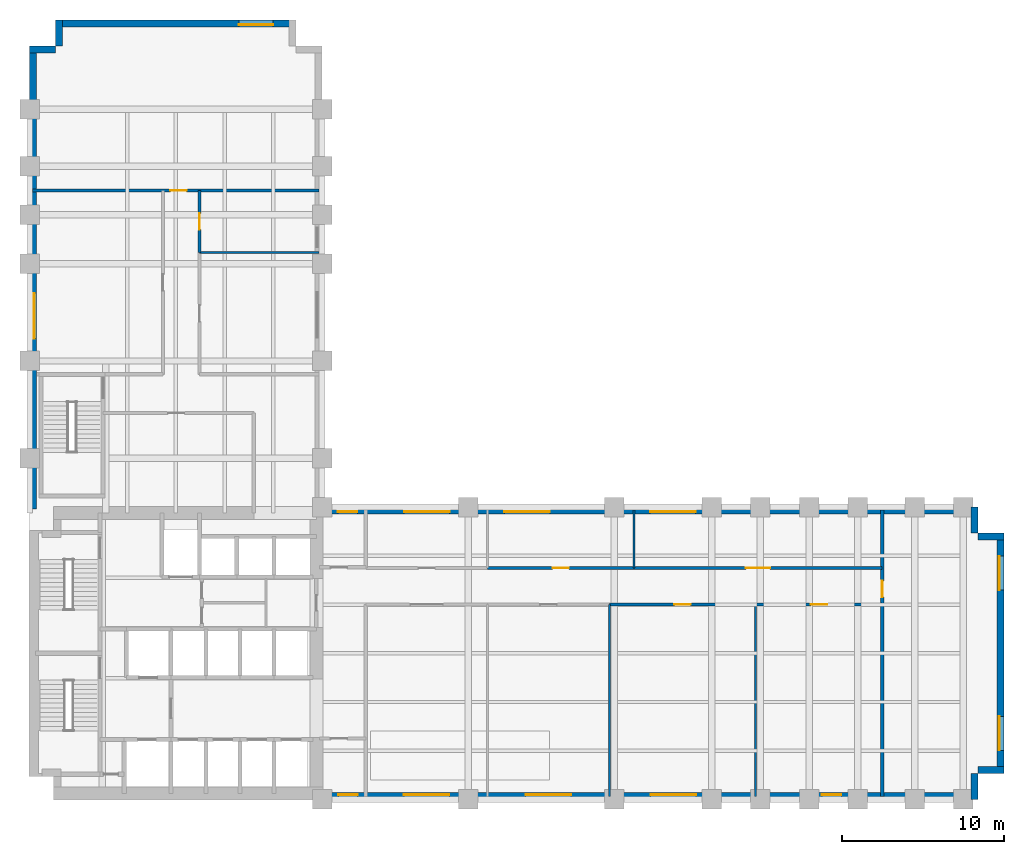
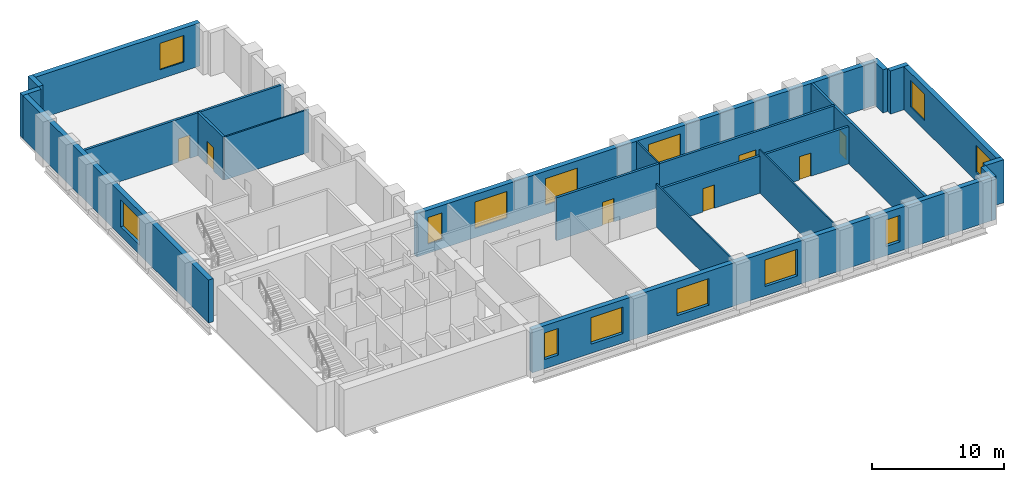
# One storey, part 5 of 7: 22 walls, 13 windows, 7 doors, 20 openings.
"""IFC4 building model written with IfcOpenShell, lengths in metres."""

from ifc_helpers import new_model, si_unit, direction, frame, frame_2d, origin, place, context, subcontext, project, spatial, rectangle, extrude, material, layer, layer_set, type_object, element, fill, save


model = new_model("IFC4")

# Units and contexts
model_context = context("Model", 3, precision=1e-05, world=origin(), true_north=direction((0.0, 1.0)))
body_context = subcontext(model_context, "Body", "Model", "MODEL_VIEW")
ifc_project = project(units=[si_unit("LENGTHUNIT", "METRE"), si_unit("AREAUNIT", "SQUARE_METRE"), si_unit("VOLUMEUNIT", "CUBIC_METRE"), si_unit("PLANEANGLEUNIT", "RADIAN"), si_unit("MASSUNIT", "GRAM", prefix="KILO")], contexts=[model_context])

# Site, building, storey
site_placement = place(None, origin())
site = spatial("IfcSite", under=ifc_project, at=site_placement, CompositionType="ELEMENT")
building_placement = place(site_placement, origin())
building = spatial("IfcBuilding", under=site, at=building_placement, Name="Mawjdan Bourse Tower", CompositionType="ELEMENT")
storey_placement = place(building_placement, frame((0.0, 0.0, 72.0)))
storey = spatial("IfcBuildingStorey", under=building, at=storey_placement, Name="L16", CompositionType="ELEMENT", Elevation=72.0)

# Wall, openings, windows
ifc_material_1 = material(Name="Brick Masonry Buff", Category="masonry")
ifc_layer_1 = layer(ifc_material_1, 0.419921875)
ifc_layer_set_1 = layer_set([ifc_layer_1], Name="Brick Masonry Buff")
wall_type_1 = type_object("IfcWallType", Name="WL-BRK-BUFF-420", PredefinedType="STANDARD", material=ifc_layer_set_1)
wall_1_placement = place(storey_placement, frame((23.89990234375, 3.2099609375, 0.0), z_axis=(0.0, 0.0, 1.0), x_axis=(1.0, 0.0, 0.0)))
wall_1 = element("IfcWall", 1, at=wall_1_placement, inside=storey, type_object=wall_type_1, Name="L16 Exterior Brick Wall 1", PredefinedType="STANDARD", context=body_context, shape_type="SweptSolid", body=[
    extrude(rectangle(XDim=40.5, YDim=0.419921875, at=frame_2d((20.25, 0.0))), origin(), (0.0, 0.0, 1.0), 3.97998046875),
])
opening_1_placement = place(wall_1_placement, frame((1.10009765625, 0.0, 0.85009765625)))
opening_1 = element("IfcOpeningElement", 2, at=opening_1_placement, cuts=wall_1, Name="Opening W-L16-07", PredefinedType="OPENING", context=body_context, shape_type="SweptSolid", body=[
    extrude(rectangle(XDim=1.199951171875, YDim=2.449951171875, at=frame_2d((0.60009765625, 1.22509765625))), frame((0.0, 0.219970703125, 0.0), z_axis=(0.0, -1.0, 0.0), x_axis=(1.0, 0.0, 0.0)), (0.0, 0.0, 1.0), 0.43994140625),
])
opening_2_placement = place(wall_1_placement, frame((5.13623046875, 0.0, 0.85009765625)))
opening_2 = element("IfcOpeningElement", 3, at=opening_2_placement, cuts=wall_1, Name="Opening W-L16-09", PredefinedType="OPENING", context=body_context, shape_type="SweptSolid", body=[
    extrude(rectangle(XDim=2.800048828125, YDim=2.449951171875, at=frame_2d((1.39990234375, 1.22509765625))), frame((0.0, 0.219970703125, 0.0), z_axis=(0.0, -1.0, 0.0), x_axis=(1.0, 0.0, 0.0)), (0.0, 0.0, 1.0), 0.43994140625),
])
opening_3_placement = place(wall_1_placement, frame((12.63623046875, 0.0, 0.85009765625)))
opening_3 = element("IfcOpeningElement", 4, at=opening_3_placement, cuts=wall_1, Name="Opening W-L16-10", PredefinedType="OPENING", context=body_context, shape_type="SweptSolid", body=[
    extrude(rectangle(XDim=2.800048828125, YDim=2.449951171875, at=frame_2d((1.39990234375, 1.22509765625))), frame((0.0, 0.219970703125, 0.0), z_axis=(0.0, -1.0, 0.0), x_axis=(1.0, 0.0, 0.0)), (0.0, 0.0, 1.0), 0.43994140625),
])
opening_4_placement = place(wall_1_placement, frame((20.336181640625, 0.0, 0.85009765625)))
opening_4 = element("IfcOpeningElement", 5, at=opening_4_placement, cuts=wall_1, Name="Opening W-L16-11", PredefinedType="OPENING", context=body_context, shape_type="SweptSolid", body=[
    extrude(rectangle(XDim=2.800048828125, YDim=2.449951171875, at=frame_2d((1.39990234375, 1.22509765625))), frame((0.0, 0.219970703125, 0.0), z_axis=(0.0, -1.0, 0.0), x_axis=(1.0, 0.0, 0.0)), (0.0, 0.0, 1.0), 0.43994140625),
])
opening_5_placement = place(wall_1_placement, frame((30.88623046875, 0.0, 0.85009765625)))
opening_5 = element("IfcOpeningElement", 6, at=opening_5_placement, cuts=wall_1, Name="Opening W-L16-12", PredefinedType="OPENING", context=body_context, shape_type="SweptSolid", body=[
    extrude(rectangle(XDim=1.199951171875, YDim=2.449951171875, at=frame_2d((0.60009765625, 1.22509765625))), frame((0.0, 0.219970703125, 0.0), z_axis=(0.0, -1.0, 0.0), x_axis=(1.0, 0.0, 0.0)), (0.0, 0.0, 1.0), 0.43994140625),
])
ifc_material_2 = material(Name="Solar-Control Clear Double Glazing", Category="glass")
window_type_1 = type_object("IfcWindowType", Name="WN-TRD-1200", PartitioningType="SINGLE_PANEL", PredefinedType="WINDOW", material=ifc_material_2)
window_1_placement = place(opening_1_placement, origin())
window_1 = element("IfcWindow", 7, at=window_1_placement, inside=storey, type_object=window_type_1, Name="L16 Deep-Set Masonry Window W-L16-07", OverallHeight=2.449951171875, OverallWidth=1.199951171875, PartitioningType="SINGLE_PANEL", PredefinedType="WINDOW", context=body_context, shape_type="SweptSolid", body=[
    extrude(rectangle(XDim=1.199951171875, YDim=2.449951171875, at=frame_2d((0.60009765625, 1.22509765625))), frame((0.0, 0.110107421875, 0.0), z_axis=(0.0, -1.0, 0.0), x_axis=(1.0, 0.0, 0.0)), (0.0, 0.0, 1.0), 0.06005859375),
])
fill(opening_1, window_1)
window_2_placement = place(opening_5_placement, origin())
window_2 = element("IfcWindow", 8, at=window_2_placement, inside=storey, type_object=window_type_1, Name="L16 Deep-Set Masonry Window W-L16-12", OverallHeight=2.449951171875, OverallWidth=1.199951171875, PartitioningType="SINGLE_PANEL", PredefinedType="WINDOW", context=body_context, shape_type="SweptSolid", body=[
    extrude(rectangle(XDim=1.199951171875, YDim=2.449951171875, at=frame_2d((0.60009765625, 1.22509765625))), frame((0.0, 0.110107421875, 0.0), z_axis=(0.0, -1.0, 0.0), x_axis=(1.0, 0.0, 0.0)), (0.0, 0.0, 1.0), 0.06005859375),
])
fill(opening_5, window_2)
window_type_2 = type_object("IfcWindowType", Name="WN-TRD-2800", PartitioningType="SINGLE_PANEL", PredefinedType="WINDOW", material=ifc_material_2)
window_3_placement = place(opening_2_placement, origin())
window_3 = element("IfcWindow", 9, at=window_3_placement, inside=storey, type_object=window_type_2, Name="L16 Deep-Set Masonry Window W-L16-09", OverallHeight=2.449951171875, OverallWidth=2.800048828125, PartitioningType="SINGLE_PANEL", PredefinedType="WINDOW", context=body_context, shape_type="SweptSolid", body=[
    extrude(rectangle(XDim=2.800048828125, YDim=2.449951171875, at=frame_2d((1.39990234375, 1.22509765625))), frame((0.0, 0.110107421875, 0.0), z_axis=(0.0, -1.0, 0.0), x_axis=(1.0, 0.0, 0.0)), (0.0, 0.0, 1.0), 0.06005859375),
])
fill(opening_2, window_3)
window_4_placement = place(opening_3_placement, origin())
window_4 = element("IfcWindow", 10, at=window_4_placement, inside=storey, type_object=window_type_2, Name="L16 Deep-Set Masonry Window W-L16-10", OverallHeight=2.449951171875, OverallWidth=2.800048828125, PartitioningType="SINGLE_PANEL", PredefinedType="WINDOW", context=body_context, shape_type="SweptSolid", body=[
    extrude(rectangle(XDim=2.800048828125, YDim=2.449951171875, at=frame_2d((1.39990234375, 1.22509765625))), frame((0.0, 0.110107421875, 0.0), z_axis=(0.0, -1.0, 0.0), x_axis=(1.0, 0.0, 0.0)), (0.0, 0.0, 1.0), 0.06005859375),
])
fill(opening_3, window_4)
window_5_placement = place(opening_4_placement, origin())
window_5 = element("IfcWindow", 11, at=window_5_placement, inside=storey, type_object=window_type_2, Name="L16 Deep-Set Masonry Window W-L16-11", OverallHeight=2.449951171875, OverallWidth=2.800048828125, PartitioningType="SINGLE_PANEL", PredefinedType="WINDOW", context=body_context, shape_type="SweptSolid", body=[
    extrude(rectangle(XDim=2.800048828125, YDim=2.449951171875, at=frame_2d((1.39990234375, 1.22509765625))), frame((0.0, 0.110107421875, 0.0), z_axis=(0.0, -1.0, 0.0), x_axis=(1.0, 0.0, 0.0)), (0.0, 0.0, 1.0), 0.06005859375),
])
fill(opening_4, window_5)

# Walls
for number, where, z_axis, x_axis, name in (
    (12, (64.18994140625, 3.0, 0.0), (0.0, 0.0, 1.0), (0.0, 1.0, 0.0), "L16 Exterior Brick Wall 2"),
    (13, (64.39990234375, 4.81005859375, 0.0), (0.0, 0.0, 1.0), (1.0, 0.0, 0.0), "L16 Exterior Brick Wall 3"),
):
    element("IfcWall", number, at=place(storey_placement, frame(where, z_axis=z_axis, x_axis=x_axis)), inside=storey, type_object=wall_type_1, Name=name, PredefinedType="STANDARD", context=body_context, shape_type="SweptSolid", body=[
        extrude(rectangle(XDim=1.60009765625, YDim=0.419921875, at=frame_2d((0.800048828125, 0.0))), origin(), (0.0, 0.0, 1.0), 3.97998046875),
    ])

# Wall, openings, windows
wall_2_placement = place(storey_placement, frame((65.7900390625, 4.60009765625, 0.0), z_axis=(0.0, 0.0, 1.0), x_axis=(0.0, 1.0, 0.0)))
wall_2 = element("IfcWall", 14, at=wall_2_placement, inside=storey, type_object=wall_type_1, Name="L16 Exterior Brick Wall 4", PredefinedType="STANDARD", context=body_context, shape_type="SweptSolid", body=[
    extrude(rectangle(XDim=14.7998046875, YDim=0.419921875, at=frame_2d((7.39990234375, 0.0))), origin(), (0.0, 0.0, 1.0), 3.97998046875),
])
opening_6_placement = place(wall_2_placement, frame((1.416748046875, 0.0, 0.85009765625)))
opening_6 = element("IfcOpeningElement", 15, at=opening_6_placement, cuts=wall_2, Name="Opening W-L16-01", PredefinedType="OPENING", context=body_context, shape_type="SweptSolid", body=[
    extrude(rectangle(XDim=2.10009765625, YDim=2.449951171875, at=frame_2d((1.050048828125, 1.22509765625))), frame((0.0, 0.219970703125, 0.0), z_axis=(0.0, -1.0, 0.0), x_axis=(1.0, 0.0, 0.0)), (0.0, 0.0, 1.0), 0.43994140625),
])
opening_7_placement = place(wall_2_placement, frame((11.283203125, 0.0, 0.85009765625)))
opening_7 = element("IfcOpeningElement", 16, at=opening_7_placement, cuts=wall_2, Name="Opening W-L16-02", PredefinedType="OPENING", context=body_context, shape_type="SweptSolid", body=[
    extrude(rectangle(XDim=2.10009765625, YDim=2.449951171875, at=frame_2d((1.050048828125, 1.22509765625))), frame((0.0, 0.219970703125, 0.0), z_axis=(0.0, -1.0, 0.0), x_axis=(1.0, 0.0, 0.0)), (0.0, 0.0, 1.0), 0.43994140625),
])
window_type_3 = type_object("IfcWindowType", Name="WN-TRD-2100", PartitioningType="SINGLE_PANEL", PredefinedType="WINDOW", material=ifc_material_2)
window_6_placement = place(opening_6_placement, origin())
window_6 = element("IfcWindow", 17, at=window_6_placement, inside=storey, type_object=window_type_3, Name="L16 Deep-Set Masonry Window W-L16-01", OverallHeight=2.449951171875, OverallWidth=2.10009765625, PartitioningType="SINGLE_PANEL", PredefinedType="WINDOW", context=body_context, shape_type="SweptSolid", body=[
    extrude(rectangle(XDim=2.10009765625, YDim=2.449951171875, at=frame_2d((1.050048828125, 1.22509765625))), frame((0.0, 0.110107421875, 0.0), z_axis=(0.0, -1.0, 0.0), x_axis=(1.0, 0.0, 0.0)), (0.0, 0.0, 1.0), 0.06005859375),
])
fill(opening_6, window_6)
window_7_placement = place(opening_7_placement, origin())
window_7 = element("IfcWindow", 18, at=window_7_placement, inside=storey, type_object=window_type_3, Name="L16 Deep-Set Masonry Window W-L16-02", OverallHeight=2.449951171875, OverallWidth=2.10009765625, PartitioningType="SINGLE_PANEL", PredefinedType="WINDOW", context=body_context, shape_type="SweptSolid", body=[
    extrude(rectangle(XDim=2.10009765625, YDim=2.449951171875, at=frame_2d((1.050048828125, 1.22509765625))), frame((0.0, 0.110107421875, 0.0), z_axis=(0.0, -1.0, 0.0), x_axis=(1.0, 0.0, 0.0)), (0.0, 0.0, 1.0), 0.06005859375),
])
fill(opening_7, window_7)

# Walls
for number, where, z_axis, x_axis, name in (
    (19, (66.0, 19.18994140625, 0.0), (0.0, 0.0, 1.0), (-1.0, 0.0, 0.0), "L16 Exterior Brick Wall 5"),
    (20, (64.18994140625, 19.39990234375, 0.0), (0.0, 0.0, 1.0), (0.0, 1.0, 0.0), "L16 Exterior Brick Wall 6"),
):
    element("IfcWall", number, at=place(storey_placement, frame(where, z_axis=z_axis, x_axis=x_axis)), inside=storey, type_object=wall_type_1, Name=name, PredefinedType="STANDARD", context=body_context, shape_type="SweptSolid", body=[
        extrude(rectangle(XDim=1.60009765625, YDim=0.419921875, at=frame_2d((0.800048828125, 0.0))), origin(), (0.0, 0.0, 1.0), 3.97998046875),
    ])

# Wall, openings, windows
wall_3_placement = place(storey_placement, frame((64.39990234375, 20.7900390625, 0.0), z_axis=(0.0, 0.0, 1.0), x_axis=(-1.0, 0.0, 0.0)))
wall_3 = element("IfcWall", 21, at=wall_3_placement, inside=storey, type_object=wall_type_1, Name="L16 Exterior Brick Wall 7", PredefinedType="STANDARD", context=body_context, shape_type="SweptSolid", body=[
    extrude(rectangle(XDim=40.39990234375, YDim=0.419921875, at=frame_2d((20.199951171875, 0.0))), origin(), (0.0, 0.0, 1.0), 3.97998046875),
])
opening_8_placement = place(wall_3_placement, frame((26.375, 0.0, 0.85009765625)))
opening_8 = element("IfcOpeningElement", 22, at=opening_8_placement, cuts=wall_3, Name="Opening W-L16-03", PredefinedType="OPENING", context=body_context, shape_type="SweptSolid", body=[
    extrude(rectangle(XDim=2.800048828125, YDim=2.449951171875, at=frame_2d((1.39990234375, 1.22509765625))), frame((0.0, 0.219970703125, 0.0), z_axis=(0.0, -1.0, 0.0), x_axis=(1.0, 0.0, 0.0)), (0.0, 0.0, 1.0), 0.43994140625),
])
opening_9_placement = place(wall_3_placement, frame((38.22216796875, 0.0, 0.85009765625)))
opening_9 = element("IfcOpeningElement", 23, at=opening_9_placement, cuts=wall_3, Name="Opening W-L16-08", PredefinedType="OPENING", context=body_context, shape_type="SweptSolid", body=[
    extrude(rectangle(XDim=1.199951171875, YDim=2.449951171875, at=frame_2d((0.60009765625, 1.22509765625))), frame((0.0, 0.219970703125, 0.0), z_axis=(0.0, -1.0, 0.0), x_axis=(1.0, 0.0, 0.0)), (0.0, 0.0, 1.0), 0.43994140625),
])
opening_10_placement = place(wall_3_placement, frame((32.5361328125, 0.0, 0.85009765625)))
opening_10 = element("IfcOpeningElement", 24, at=opening_10_placement, cuts=wall_3, Name="Opening W-L16-13", PredefinedType="OPENING", context=body_context, shape_type="SweptSolid", body=[
    extrude(rectangle(XDim=2.800048828125, YDim=2.449951171875, at=frame_2d((1.39990234375, 1.22509765625))), frame((0.0, 0.219970703125, 0.0), z_axis=(0.0, -1.0, 0.0), x_axis=(1.0, 0.0, 0.0)), (0.0, 0.0, 1.0), 0.43994140625),
])
opening_11_placement = place(wall_3_placement, frame((17.38623046875, 0.0, 0.85009765625)))
opening_11 = element("IfcOpeningElement", 25, at=opening_11_placement, cuts=wall_3, Name="Opening W-L16-14", PredefinedType="OPENING", context=body_context, shape_type="SweptSolid", body=[
    extrude(rectangle(XDim=2.800048828125, YDim=2.449951171875, at=frame_2d((1.39990234375, 1.22509765625))), frame((0.0, 0.219970703125, 0.0), z_axis=(0.0, -1.0, 0.0), x_axis=(1.0, 0.0, 0.0)), (0.0, 0.0, 1.0), 0.43994140625),
])
window_8_placement = place(opening_9_placement, origin())
window_8 = element("IfcWindow", 26, at=window_8_placement, inside=storey, type_object=window_type_1, Name="L16 Deep-Set Masonry Window W-L16-08", OverallHeight=2.449951171875, OverallWidth=1.199951171875, PartitioningType="SINGLE_PANEL", PredefinedType="WINDOW", context=body_context, shape_type="SweptSolid", body=[
    extrude(rectangle(XDim=1.199951171875, YDim=2.449951171875, at=frame_2d((0.60009765625, 1.22509765625))), frame((0.0, 0.110107421875, 0.0), z_axis=(0.0, -1.0, 0.0), x_axis=(1.0, 0.0, 0.0)), (0.0, 0.0, 1.0), 0.06005859375),
])
fill(opening_9, window_8)
window_9_placement = place(opening_8_placement, origin())
window_9 = element("IfcWindow", 27, at=window_9_placement, inside=storey, type_object=window_type_2, Name="L16 Deep-Set Masonry Window W-L16-03", OverallHeight=2.449951171875, OverallWidth=2.800048828125, PartitioningType="SINGLE_PANEL", PredefinedType="WINDOW", context=body_context, shape_type="SweptSolid", body=[
    extrude(rectangle(XDim=2.800048828125, YDim=2.449951171875, at=frame_2d((1.39990234375, 1.22509765625))), frame((0.0, 0.110107421875, 0.0), z_axis=(0.0, -1.0, 0.0), x_axis=(1.0, 0.0, 0.0)), (0.0, 0.0, 1.0), 0.06005859375),
])
fill(opening_8, window_9)
window_10_placement = place(opening_10_placement, origin())
window_10 = element("IfcWindow", 28, at=window_10_placement, inside=storey, type_object=window_type_2, Name="L16 Deep-Set Masonry Window W-L16-13", OverallHeight=2.449951171875, OverallWidth=2.800048828125, PartitioningType="SINGLE_PANEL", PredefinedType="WINDOW", context=body_context, shape_type="SweptSolid", body=[
    extrude(rectangle(XDim=2.800048828125, YDim=2.449951171875, at=frame_2d((1.39990234375, 1.22509765625))), frame((0.0, 0.110107421875, 0.0), z_axis=(0.0, -1.0, 0.0), x_axis=(1.0, 0.0, 0.0)), (0.0, 0.0, 1.0), 0.06005859375),
])
fill(opening_10, window_10)
window_11_placement = place(opening_11_placement, origin())
window_11 = element("IfcWindow", 29, at=window_11_placement, inside=storey, type_object=window_type_2, Name="L16 Deep-Set Masonry Window W-L16-14", OverallHeight=2.449951171875, OverallWidth=2.800048828125, PartitioningType="SINGLE_PANEL", PredefinedType="WINDOW", context=body_context, shape_type="SweptSolid", body=[
    extrude(rectangle(XDim=2.800048828125, YDim=2.449951171875, at=frame_2d((1.39990234375, 1.22509765625))), frame((0.0, 0.110107421875, 0.0), z_axis=(0.0, -1.0, 0.0), x_axis=(1.0, 0.0, 0.0)), (0.0, 0.0, 1.0), 0.06005859375),
])
fill(opening_11, window_11)

# Wall, opening, window
wall_4_placement = place(storey_placement, frame((22.39990234375, 50.7900390625, 0.0), z_axis=(0.0, 0.0, 1.0), x_axis=(-1.0, 0.0, 0.0)))
wall_4 = element("IfcWall", 30, at=wall_4_placement, inside=storey, type_object=wall_type_1, Name="L16 Exterior Brick Wall 11", PredefinedType="STANDARD", context=body_context, shape_type="SweptSolid", body=[
    extrude(rectangle(XDim=14.7998046875, YDim=0.419921875, at=frame_2d((7.39990234375, 0.0))), origin(), (0.0, 0.0, 1.0), 3.97998046875),
])
opening_12_placement = place(wall_4_placement, frame((1.416748046875, 0.0, 0.85009765625)))
opening_12 = element("IfcOpeningElement", 31, at=opening_12_placement, cuts=wall_4, Name="Opening W-L16-05", PredefinedType="OPENING", context=body_context, shape_type="SweptSolid", body=[
    extrude(rectangle(XDim=2.10009765625, YDim=2.449951171875, at=frame_2d((1.050048828125, 1.22509765625))), frame((0.0, 0.219970703125, 0.0), z_axis=(0.0, -1.0, 0.0), x_axis=(1.0, 0.0, 0.0)), (0.0, 0.0, 1.0), 0.43994140625),
])
window_12_placement = place(opening_12_placement, origin())
window_12 = element("IfcWindow", 32, at=window_12_placement, inside=storey, type_object=window_type_3, Name="L16 Deep-Set Masonry Window W-L16-05", OverallHeight=2.449951171875, OverallWidth=2.10009765625, PartitioningType="SINGLE_PANEL", PredefinedType="WINDOW", context=body_context, shape_type="SweptSolid", body=[
    extrude(rectangle(XDim=2.10009765625, YDim=2.449951171875, at=frame_2d((1.050048828125, 1.22509765625))), frame((0.0, 0.110107421875, 0.0), z_axis=(0.0, -1.0, 0.0), x_axis=(1.0, 0.0, 0.0)), (0.0, 0.0, 1.0), 0.06005859375),
])
fill(opening_12, window_12)

# Walls
for number, where, z_axis, x_axis, name in (
    (33, (7.81005859375, 51.0, 0.0), (0.0, 0.0, 1.0), (0.0, -1.0, 0.0), "L16 Exterior Brick Wall 12"),
    (34, (7.60009765625, 49.18994140625, 0.0), (0.0, 0.0, 1.0), (-1.0, 0.0, 0.0), "L16 Exterior Brick Wall 13"),
):
    element("IfcWall", number, at=place(storey_placement, frame(where, z_axis=z_axis, x_axis=x_axis)), inside=storey, type_object=wall_type_1, Name=name, PredefinedType="STANDARD", context=body_context, shape_type="SweptSolid", body=[
        extrude(rectangle(XDim=1.60009765625, YDim=0.419921875, at=frame_2d((0.800048828125, 0.0))), origin(), (0.0, 0.0, 1.0), 3.97998046875),
    ])

# Wall, opening, window
wall_5_placement = place(storey_placement, frame((6.2099609375, 49.39990234375, 0.0), z_axis=(0.0, 0.0, 1.0), x_axis=(0.0, -1.0, 0.0)))
wall_5 = element("IfcWall", 35, at=wall_5_placement, inside=storey, type_object=wall_type_1, Name="L16 Exterior Brick Wall 14", PredefinedType="STANDARD", context=body_context, shape_type="SweptSolid", body=[
    extrude(rectangle(XDim=28.5, YDim=0.419921875, at=frame_2d((14.25, 0.0))), origin(), (0.0, 0.0, 1.0), 3.97998046875),
])
opening_13_placement = place(wall_5_placement, frame((15.22509765625, 0.0, 0.85009765625)))
opening_13 = element("IfcOpeningElement", 36, at=opening_13_placement, cuts=wall_5, Name="Opening W-L16-06", PredefinedType="OPENING", context=body_context, shape_type="SweptSolid", body=[
    extrude(rectangle(XDim=2.800048828125, YDim=2.449951171875, at=frame_2d((1.39990234375, 1.22509765625))), frame((0.0, 0.219970703125, 0.0), z_axis=(0.0, -1.0, 0.0), x_axis=(1.0, 0.0, 0.0)), (0.0, 0.0, 1.0), 0.43994140625),
])
window_13_placement = place(opening_13_placement, origin())
window_13 = element("IfcWindow", 37, at=window_13_placement, inside=storey, type_object=window_type_2, Name="L16 Deep-Set Masonry Window W-L16-06", OverallHeight=2.449951171875, OverallWidth=2.800048828125, PartitioningType="SINGLE_PANEL", PredefinedType="WINDOW", context=body_context, shape_type="SweptSolid", body=[
    extrude(rectangle(XDim=2.800048828125, YDim=2.449951171875, at=frame_2d((1.39990234375, 1.22509765625))), frame((0.0, 0.110107421875, 0.0), z_axis=(0.0, -1.0, 0.0), x_axis=(1.0, 0.0, 0.0)), (0.0, 0.0, 1.0), 0.06005859375),
])
fill(opening_13, window_13)

# Wall, opening, door
ifc_material_3 = material(Name="Gypsum Fireboard Assembly")
ifc_layer_2 = layer(ifc_material_3, 0.199951171875)
ifc_layer_set_2 = layer_set([ifc_layer_2], Name="Gypsum Fireboard Assembly")
wall_type_2 = type_object("IfcWallType", Name="WL-CMP-200", PredefinedType="PARTITIONING", material=ifc_layer_set_2)
wall_6_placement = place(storey_placement, frame((41.699951171875, 15.0, 0.0), z_axis=(0.0, 0.0, 1.0), x_axis=(1.0, 0.0, 0.0)))
wall_6 = element("IfcWall", 38, at=wall_6_placement, inside=storey, type_object=wall_type_2, Name="L16 Executive Office Corridor Wall", PredefinedType="PARTITIONING", context=body_context, shape_type="SweptSolid", body=[
    extrude(rectangle(XDim=9.0, YDim=0.199951171875, at=frame_2d((4.5, 0.0))), origin(), (0.0, 0.0, 1.0), 3.426025390625),
])
opening_14_placement = place(wall_6_placement, frame((4.0, 0.0, 0.0)))
opening_14 = element("IfcOpeningElement", 39, at=opening_14_placement, cuts=wall_6, Name="Opening D-L16-22", PredefinedType="OPENING", context=body_context, shape_type="SweptSolid", body=[
    extrude(rectangle(XDim=1.0, YDim=2.14990234375, at=frame_2d((0.5, 1.074951171875))), frame((0.0, 0.10986328125, 0.0), z_axis=(0.0, -1.0, 0.0), x_axis=(1.0, 0.0, 0.0)), (0.0, 0.0, 1.0), 0.219970703125),
])
ifc_material_4 = material(Name="Hardwood Acoustic Leaf", Category="wood")
door_type_1 = type_object("IfcDoorType", Name="DR-OFC-1000", OperationType="NOTDEFINED", PredefinedType="DOOR", material=ifc_material_4)
door_1_placement = place(opening_14_placement, origin())
door_1 = element("IfcDoor", 40, at=door_1_placement, inside=storey, type_object=door_type_1, Name="L16 Executive Office Door D-L16-22", OperationType="SINGLE_SWING_RIGHT", OverallHeight=2.14990234375, OverallWidth=1.0, PredefinedType="DOOR", context=body_context, shape_type="SweptSolid", body=[
    extrude(rectangle(XDim=1.0, YDim=2.14990234375, at=frame_2d((0.5, 1.074951171875))), frame((0.0, 0.02490234375, 0.0), z_axis=(0.0, -1.0, 0.0), x_axis=(1.0, 0.0, 0.0)), (0.0, 0.0, 1.0), 0.050048828125),
])
fill(opening_14, door_1)

wall_7_placement = place(storey_placement, frame((50.699951171875, 15.0, 0.0), z_axis=(0.0, 0.0, 1.0), x_axis=(1.0, 0.0, 0.0)))
wall_7 = element("IfcWall", 41, at=wall_7_placement, inside=storey, type_object=wall_type_2, Name="L16 Training Seminar Room Corridor Wall", PredefinedType="PARTITIONING", context=body_context, shape_type="SweptSolid", body=[
    extrude(rectangle(XDim=7.800048828125, YDim=0.199951171875, at=frame_2d((3.89990234375, 0.0))), origin(), (0.0, 0.0, 1.0), 3.426025390625),
])
opening_15_placement = place(wall_7_placement, frame((3.39990234375, 0.0, 0.0)))
opening_15 = element("IfcOpeningElement", 42, at=opening_15_placement, cuts=wall_7, Name="Opening D-L16-23", PredefinedType="OPENING", context=body_context, shape_type="SweptSolid", body=[
    extrude(rectangle(XDim=1.0, YDim=2.14990234375, at=frame_2d((0.5, 1.074951171875))), frame((0.0, 0.10986328125, 0.0), z_axis=(0.0, -1.0, 0.0), x_axis=(1.0, 0.0, 0.0)), (0.0, 0.0, 1.0), 0.219970703125),
])
door_2_placement = place(opening_15_placement, origin())
door_2 = element("IfcDoor", 43, at=door_2_placement, inside=storey, type_object=door_type_1, Name="L16 Training Seminar Room Door D-L16-23", OperationType="SINGLE_SWING_LEFT", OverallHeight=2.14990234375, OverallWidth=1.0, PredefinedType="DOOR", context=body_context, shape_type="SweptSolid", body=[
    extrude(rectangle(XDim=1.0, YDim=2.14990234375, at=frame_2d((0.5, 1.074951171875))), frame((0.0, 0.02490234375, 0.0), z_axis=(0.0, -1.0, 0.0), x_axis=(1.0, 0.0, 0.0)), (0.0, 0.0, 1.0), 0.050048828125),
])
fill(opening_15, door_2)

wall_8_placement = place(storey_placement, frame((34.199951171875, 17.25, 0.0), z_axis=(0.0, 0.0, 1.0), x_axis=(1.0, 0.0, 0.0)))
wall_8 = element("IfcWall", 44, at=wall_8_placement, inside=storey, type_object=wall_type_2, Name="L16 Training Seminar Room Corridor Wall", PredefinedType="PARTITIONING", context=body_context, shape_type="SweptSolid", body=[
    extrude(rectangle(XDim=9.0, YDim=0.199951171875, at=frame_2d((4.5, 0.0))), origin(), (0.0, 0.0, 1.0), 3.969970703125),
])
opening_16_placement = place(wall_8_placement, frame((4.0, 0.0, 0.0)))
opening_16 = element("IfcOpeningElement", 45, at=opening_16_placement, cuts=wall_8, Name="Opening D-L16-25", PredefinedType="OPENING", context=body_context, shape_type="SweptSolid", body=[
    extrude(rectangle(XDim=1.0, YDim=2.14990234375, at=frame_2d((0.5, 1.074951171875))), frame((0.0, 0.10986328125, 0.0), z_axis=(0.0, -1.0, 0.0), x_axis=(1.0, 0.0, 0.0)), (0.0, 0.0, 1.0), 0.219970703125),
])
door_3_placement = place(opening_16_placement, origin())
door_3 = element("IfcDoor", 46, at=door_3_placement, inside=storey, type_object=door_type_1, Name="L16 Training Seminar Room Door D-L16-25", OperationType="SINGLE_SWING_LEFT", OverallHeight=2.14990234375, OverallWidth=1.0, PredefinedType="DOOR", context=body_context, shape_type="SweptSolid", body=[
    extrude(rectangle(XDim=1.0, YDim=2.14990234375, at=frame_2d((0.5, 1.074951171875))), frame((0.0, 0.02490234375, 0.0), z_axis=(0.0, -1.0, 0.0), x_axis=(1.0, 0.0, 0.0)), (0.0, 0.0, 1.0), 0.050048828125),
])
fill(opening_16, door_3)

wall_9_placement = place(storey_placement, frame((43.199951171875, 17.25, 0.0), z_axis=(0.0, 0.0, 1.0), x_axis=(1.0, 0.0, 0.0)))
wall_9 = element("IfcWall", 47, at=wall_9_placement, inside=storey, type_object=wall_type_2, Name="L16 Conference Room Corridor Wall", PredefinedType="PARTITIONING", context=body_context, shape_type="SweptSolid", body=[
    extrude(rectangle(XDim=15.300048828125, YDim=0.199951171875, at=frame_2d((7.64990234375, 0.0))), origin(), (0.0, 0.0, 1.0), 3.969970703125),
])
opening_17_placement = place(wall_9_placement, frame((6.89990234375, 0.0, 0.0)))
opening_17 = element("IfcOpeningElement", 48, at=opening_17_placement, cuts=wall_9, Name="Opening D-L16-26", PredefinedType="OPENING", context=body_context, shape_type="SweptSolid", body=[
    extrude(rectangle(XDim=1.5, YDim=2.300048828125, at=frame_2d((0.75, 1.14990234375))), frame((0.0, 0.10986328125, 0.0), z_axis=(0.0, -1.0, 0.0), x_axis=(1.0, 0.0, 0.0)), (0.0, 0.0, 1.0), 0.219970703125),
])
ifc_material_5 = material(Name="Acoustic Glazed Timber", Category="wood")
door_type_2 = type_object("IfcDoorType", Name="DR-CNF-1500", OperationType="DOUBLE_DOOR_SINGLE_SWING", PredefinedType="DOOR", material=ifc_material_5)
door_4_placement = place(opening_17_placement, origin())
door_4 = element("IfcDoor", 49, at=door_4_placement, inside=storey, type_object=door_type_2, Name="L16 Conference Room Door D-L16-26", OperationType="DOUBLE_DOOR_SINGLE_SWING", OverallHeight=2.300048828125, OverallWidth=1.5, PredefinedType="DOOR", context=body_context, shape_type="SweptSolid", body=[
    extrude(rectangle(XDim=1.5, YDim=2.300048828125, at=frame_2d((0.75, 1.14990234375))), frame((0.0, 0.02490234375, 0.0), z_axis=(0.0, -1.0, 0.0), x_axis=(1.0, 0.0, 0.0)), (0.0, 0.0, 1.0), 0.050048828125),
])
fill(opening_17, door_4)

wall_10_placement = place(storey_placement, frame((58.5, 3.179931640625, 0.0), z_axis=(0.0, 0.0, 1.0), x_axis=(0.0, 1.0, 0.0)))
wall_10 = element("IfcWall", 50, at=wall_10_placement, inside=storey, type_object=wall_type_2, Name="L16 East Tip Full Cross Wall", PredefinedType="PARTITIONING", context=body_context, shape_type="SweptSolid", body=[
    extrude(rectangle(XDim=17.64013671875, YDim=0.199951171875, at=frame_2d((8.820068359375, 0.0))), origin(), (0.0, 0.0, 1.0), 3.969970703125),
])
opening_18_placement = place(wall_10_placement, frame((12.27490234375, 0.0, 0.0)))
opening_18 = element("IfcOpeningElement", 51, at=opening_18_placement, cuts=wall_10, Name="Opening D-L16-27", PredefinedType="OPENING", context=body_context, shape_type="SweptSolid", body=[
    extrude(rectangle(XDim=1.0, YDim=2.14990234375, at=frame_2d((0.5, 1.074951171875))), frame((0.0, 0.10986328125, 0.0), z_axis=(0.0, -1.0, 0.0), x_axis=(1.0, 0.0, 0.0)), (0.0, 0.0, 1.0), 0.219970703125),
])
door_5_placement = place(opening_18_placement, origin())
door_5 = element("IfcDoor", 52, at=door_5_placement, inside=storey, type_object=door_type_1, Name="L16 East Tip Hall Door D-L16-27", OperationType="SINGLE_SWING_RIGHT", OverallHeight=2.14990234375, OverallWidth=1.0, PredefinedType="DOOR", context=body_context, shape_type="SweptSolid", body=[
    extrude(rectangle(XDim=1.0, YDim=2.14990234375, at=frame_2d((0.5, 1.074951171875))), frame((0.0, 0.02490234375, 0.0), z_axis=(0.0, -1.0, 0.0), x_axis=(1.0, 0.0, 0.0)), (0.0, 0.0, 1.0), 0.050048828125),
])
fill(opening_18, door_5)

wall_11_placement = place(storey_placement, frame((16.449951171875, 36.679931640625, 0.0), z_axis=(0.0, 0.0, 1.0), x_axis=(0.0, 1.0, 0.0)))
wall_11 = element("IfcWall", 53, at=wall_11_placement, inside=storey, type_object=wall_type_2, Name="L16 Conference Room Corridor Wall", PredefinedType="PARTITIONING", context=body_context, shape_type="SweptSolid", body=[
    extrude(rectangle(XDim=3.820068359375, YDim=0.199951171875, at=frame_2d((1.91015625, 0.0))), origin(), (0.0, 0.0, 1.0), 3.969970703125),
])
opening_19_placement = place(wall_11_placement, frame((1.409912109375, 0.0, 0.0)))
opening_19 = element("IfcOpeningElement", 54, at=opening_19_placement, cuts=wall_11, Name="Opening D-L16-31", PredefinedType="OPENING", context=body_context, shape_type="SweptSolid", body=[
    extrude(rectangle(XDim=1.0, YDim=2.14990234375, at=frame_2d((0.5, 1.074951171875))), frame((0.0, 0.10986328125, 0.0), z_axis=(0.0, -1.0, 0.0), x_axis=(1.0, 0.0, 0.0)), (0.0, 0.0, 1.0), 0.219970703125),
])
door_6_placement = place(opening_19_placement, origin())
door_6 = element("IfcDoor", 55, at=door_6_placement, inside=storey, type_object=door_type_1, Name="L16 Conference Room Door D-L16-31", OperationType="SINGLE_SWING_RIGHT", OverallHeight=2.14990234375, OverallWidth=1.0, PredefinedType="DOOR", context=body_context, shape_type="SweptSolid", body=[
    extrude(rectangle(XDim=1.0, YDim=2.14990234375, at=frame_2d((0.5, 1.074951171875))), frame((0.0, 0.02490234375, 0.0), z_axis=(0.0, -1.0, 0.0), x_axis=(1.0, 0.0, 0.0)), (0.0, 0.0, 1.0), 0.050048828125),
])
fill(opening_19, door_6)

wall_12_placement = place(storey_placement, frame((6.179931640625, 40.5, 0.0), z_axis=(0.0, 0.0, 1.0), x_axis=(1.0, 0.0, 0.0)))
wall_12 = element("IfcWall", 56, at=wall_12_placement, inside=storey, type_object=wall_type_2, Name="L16 North Tip Full Cross Wall", PredefinedType="PARTITIONING", context=body_context, shape_type="SweptSolid", body=[
    extrude(rectangle(XDim=17.64013671875, YDim=0.199951171875, at=frame_2d((8.820068359375, 0.0))), origin(), (0.0, 0.0, 1.0), 3.969970703125),
])
opening_20_placement = place(wall_12_placement, frame((8.47509765625, 0.0, 0.0)))
opening_20 = element("IfcOpeningElement", 57, at=opening_20_placement, cuts=wall_12, Name="Opening D-L16-32", PredefinedType="OPENING", context=body_context, shape_type="SweptSolid", body=[
    extrude(rectangle(XDim=1.0, YDim=2.14990234375, at=frame_2d((0.5, 1.074951171875))), frame((0.0, 0.10986328125, 0.0), z_axis=(0.0, -1.0, 0.0), x_axis=(1.0, 0.0, 0.0)), (0.0, 0.0, 1.0), 0.219970703125),
])
door_7_placement = place(opening_20_placement, origin())
door_7 = element("IfcDoor", 58, at=door_7_placement, inside=storey, type_object=door_type_1, Name="L16 North Tip Suite Door D-L16-32", OperationType="SINGLE_SWING_LEFT", OverallHeight=2.14990234375, OverallWidth=1.0, PredefinedType="DOOR", context=body_context, shape_type="SweptSolid", body=[
    extrude(rectangle(XDim=1.0, YDim=2.14990234375, at=frame_2d((0.5, 1.074951171875))), frame((0.0, 0.02490234375, 0.0), z_axis=(0.0, -1.0, 0.0), x_axis=(1.0, 0.0, 0.0)), (0.0, 0.0, 1.0), 0.050048828125),
])
fill(opening_20, door_7)

# Walls
ifc_material_6 = material(Name="Gypsum Partition")
ifc_layer_3 = layer(ifc_material_6, 0.125)
ifc_layer_set_3 = layer_set([ifc_layer_3], Name="Gypsum Partition")
wall_type_3 = type_object("IfcWallType", Name="WL-PRT-125", PredefinedType="PARTITIONING", material=ifc_layer_set_3)
for number, where, z_axis, x_axis, name in (
    (59, (41.699951171875, 3.179931640625, 0.0), (0.0, 0.0, 1.0), (0.0, 1.0, 0.0), "L16 Executive Office Partition"),
    (60, (50.699951171875, 3.179931640625, 0.0), (0.0, 0.0, 1.0), (0.0, 1.0, 0.0), "L16 Training Seminar Room Partition"),
):
    element("IfcWall", number, at=place(storey_placement, frame(where, z_axis=z_axis, x_axis=x_axis)), inside=storey, type_object=wall_type_3, Name=name, PredefinedType="PARTITIONING", context=body_context, shape_type="SweptSolid", body=[
        extrude(rectangle(XDim=11.820068359375, YDim=0.125, at=frame_2d((5.91015625, 0.0))), origin(), (0.0, 0.0, 1.0), 3.969970703125),
    ])
wall_13_placement = place(storey_placement, frame((43.199951171875, 17.25, 0.0), z_axis=(0.0, 0.0, 1.0), x_axis=(0.0, 1.0, 0.0)))
element("IfcWall", 61, at=wall_13_placement, inside=storey, type_object=wall_type_3, Name="L16 Conference Room Partition", PredefinedType="PARTITIONING", context=body_context, shape_type="SweptSolid", body=[
    extrude(rectangle(XDim=3.570068359375, YDim=0.125, at=frame_2d((1.78515625, 0.0))), origin(), (0.0, 0.0, 1.0), 3.969970703125),
])
wall_14_placement = place(storey_placement, frame((16.449951171875, 36.679931640625, 0.0), z_axis=(0.0, 0.0, 1.0), x_axis=(1.0, 0.0, 0.0)))
element("IfcWall", 62, at=wall_14_placement, inside=storey, type_object=wall_type_3, Name="L16 Conference Room Partition", PredefinedType="PARTITIONING", context=body_context, shape_type="SweptSolid", body=[
    extrude(rectangle(XDim=7.3701171875, YDim=0.125, at=frame_2d((3.68505859375, 0.0))), origin(), (0.0, 0.0, 1.0), 3.969970703125),
])

save(model, "model.ifc")
